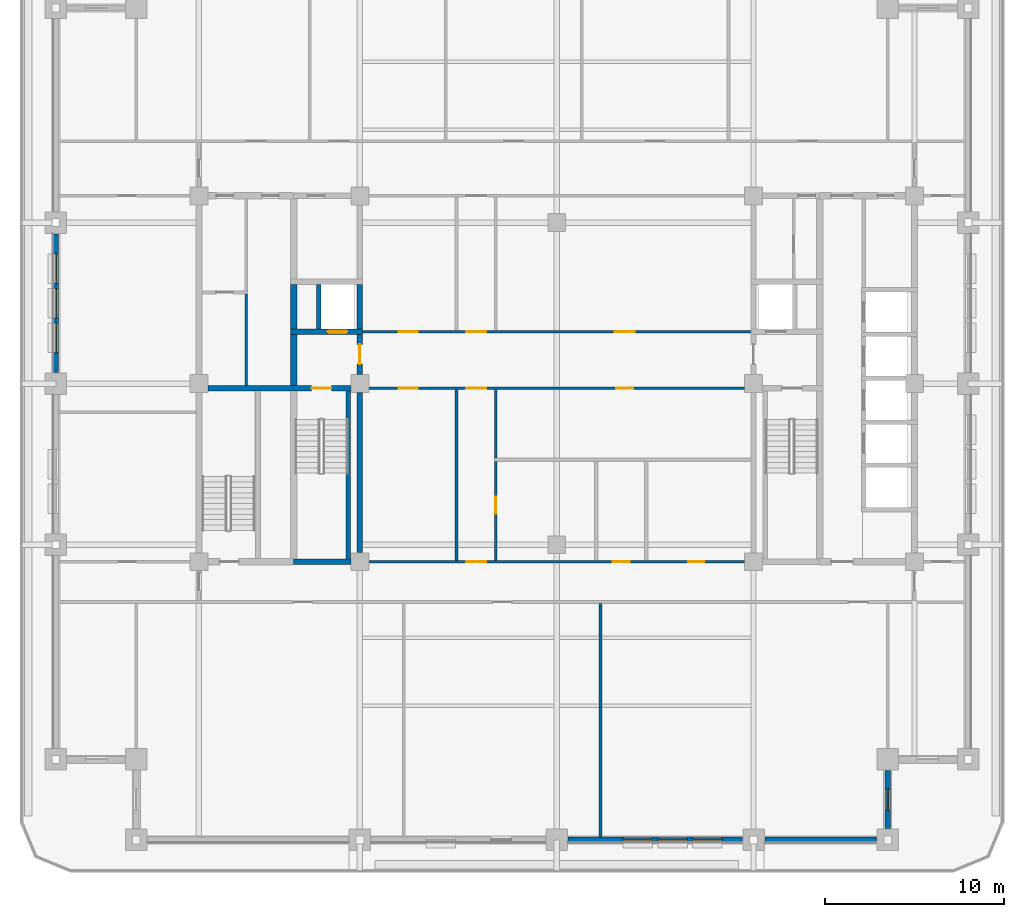
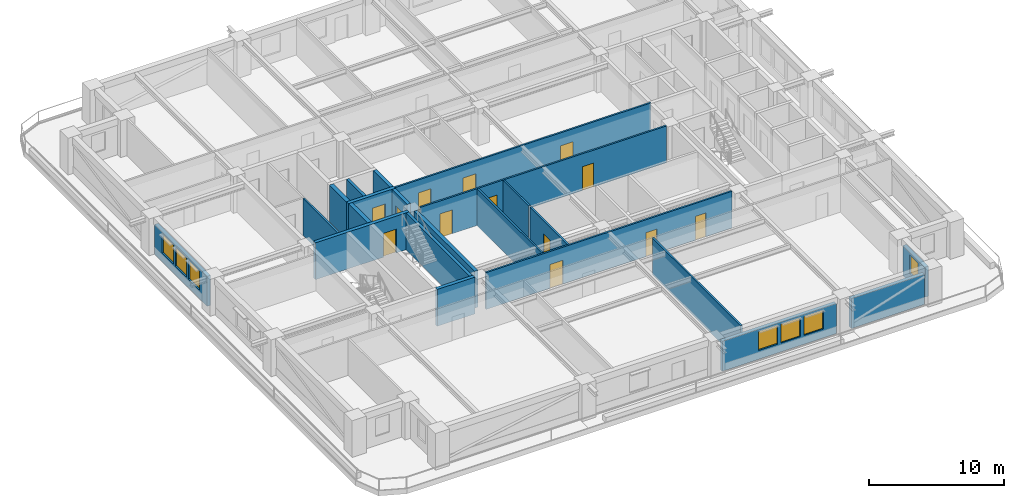
# One storey, part 3 of 15: 22 walls, 13 doors, 7 windows, 20 openings.
"""IFC4 building model written with IfcOpenShell, lengths in metres."""

from ifc_helpers import new_model, si_unit, direction, frame, frame_2d, origin, place, context, subcontext, project, spatial, rectangle, extrude, material, layer, layer_set, type_object, element, fill, save


model = new_model("IFC4")

# Units and contexts
model_context = context("Model", 3, precision=1e-05, world=origin(), true_north=direction((0.0, 1.0)))
body_context = subcontext(model_context, "Body", "Model", "MODEL_VIEW")
ifc_project = project(units=[si_unit("LENGTHUNIT", "METRE"), si_unit("AREAUNIT", "SQUARE_METRE"), si_unit("VOLUMEUNIT", "CUBIC_METRE"), si_unit("PLANEANGLEUNIT", "RADIAN"), si_unit("MASSUNIT", "GRAM", prefix="KILO")], contexts=[model_context])

# Site, building, storey
site_placement = place(None, origin())
site = spatial("IfcSite", under=ifc_project, at=site_placement, CompositionType="ELEMENT")
building_placement = place(site_placement, origin())
building = spatial("IfcBuilding", under=site, at=building_placement, Name="Zulmaris Gate Convention Tower", CompositionType="ELEMENT")
storey_placement = place(building_placement, frame((0.0, 0.0, 128.48974609375)))
storey = spatial("IfcBuildingStorey", under=building, at=storey_placement, Name="L32", CompositionType="ELEMENT", Elevation=128.48974609375)

# Walls
ifc_material_1 = material(Name="Concrete C50/60", Category="concrete")
ifc_layer_1 = layer(ifc_material_1, 0.25, Name="Concrete C50/60")
ifc_layer_set_1 = layer_set([ifc_layer_1], Name="Concrete C50/60")
wall_type_1 = type_object("IfcWallType", Name="CORE-250", PredefinedType="SOLIDWALL", material=ifc_layer_set_1)
wall_1_placement = place(storey_placement, frame((-13.300048828125, 3.052001953125, 0.0), z_axis=(0.0, 0.0, 1.0), x_axis=(0.0, 1.0, 0.0)))
element("IfcWall", 1, at=wall_1_placement, inside=storey, type_object=wall_type_1, Name="WL-L32-041", PredefinedType="SOLIDWALL", context=body_context, shape_type="SweptSolid", body=[
    extrude(rectangle(XDim=2.49609375, YDim=0.25, at=frame_2d((1.248046875, 0.0))), origin(), (0.0, 0.0, 1.0), 3.320068359375),
])
wall_2_placement = place(storey_placement, frame((-11.64990234375, -9.798095703125, 0.0), z_axis=(0.0, 0.0, 1.0), x_axis=(0.0, 1.0, 0.0)))
element("IfcWall", 2, at=wall_2_placement, inside=storey, type_object=wall_type_1, Name="WL-L32-042", PredefinedType="SOLIDWALL", context=body_context, shape_type="SweptSolid", body=[
    extrude(rectangle(XDim=9.39599609375, YDim=0.25, at=frame_2d((4.697998046875, 0.0))), origin(), (0.0, 0.0, 1.0), 3.320068359375),
])
ifc_layer_2 = layer(ifc_material_1, 0.300048828125, Name="Concrete C50/60")
ifc_layer_set_2 = layer_set([ifc_layer_2], Name="Concrete C50/60")
wall_type_2 = type_object("IfcWallType", Name="CORE-300", PredefinedType="SHEAR", material=ifc_layer_set_2)
wall_3_placement = place(storey_placement, frame((-14.699951171875, -9.949951171875, 0.0), z_axis=(0.0, 0.0, 1.0), x_axis=(1.0, 0.0, 0.0)))
element("IfcWall", 3, at=wall_3_placement, inside=storey, type_object=wall_type_2, Name="WL-L32-002", PredefinedType="SHEAR", context=body_context, shape_type="SweptSolid", body=[
    extrude(rectangle(XDim=3.196044921875, YDim=0.300048828125, at=frame_2d((1.59814453125, 0.0))), origin(), (0.0, 0.0, 1.0), 3.320068359375),
])

# Wall, opening, door
wall_4_placement = place(storey_placement, frame((-19.49609375, -0.25, 0.0), z_axis=(0.0, 0.0, 1.0), x_axis=(1.0, 0.0, 0.0)))
wall_4 = element("IfcWall", 4, at=wall_4_placement, inside=storey, type_object=wall_type_2, Name="WL-L32-008", PredefinedType="SHEAR", context=body_context, shape_type="SweptSolid", body=[
    extrude(rectangle(XDim=7.9921875, YDim=0.300048828125, at=frame_2d((3.99609375, 0.0))), origin(), (0.0, 0.0, 1.0), 3.320068359375),
])
opening_1_placement = place(wall_4_placement, frame((5.7958984375, 0.0, 0.0)))
opening_1 = element("IfcOpeningElement", 5, at=opening_1_placement, cuts=wall_4, Name="Opening D-08", PredefinedType="OPENING", context=body_context, shape_type="SweptSolid", body=[
    extrude(rectangle(XDim=1.10009765625, YDim=2.14990234375, at=frame_2d((0.550048828125, 1.074951171875))), frame((0.0, 0.16015625, 0.0), z_axis=(0.0, -1.0, 0.0), x_axis=(1.0, 0.0, 0.0)), (0.0, 0.0, 1.0), 0.320068359375),
])
ifc_material_2 = material(Name="Fire-Rated Steel", Category="steel")
door_type_1 = type_object("IfcDoorType", Name="DR-1100-FD", OperationType="NOTDEFINED", PredefinedType="DOOR", material=ifc_material_2)
door_1_placement = place(opening_1_placement, origin())
door_1 = element("IfcDoor", 6, at=door_1_placement, inside=storey, type_object=door_type_1, Name="L32 Exit Stair ST-1 Door 01", OperationType="SINGLE_SWING_LEFT", OverallHeight=2.14990234375, OverallWidth=1.10009765625, PredefinedType="DOOR", context=body_context, shape_type="SweptSolid", body=[
    extrude(rectangle(XDim=1.10009765625, YDim=2.14990234375, at=frame_2d((0.550048828125, 1.074951171875))), frame((0.0, 0.02490234375, 0.0), z_axis=(0.0, -1.0, 0.0), x_axis=(1.0, 0.0, 0.0)), (0.0, 0.0, 1.0), 0.050048828125),
])
fill(opening_1, door_1)

wall_5_placement = place(storey_placement, frame((-14.875, 2.89990234375, 0.0), z_axis=(0.0, 0.0, 1.0), x_axis=(1.0, 0.0, 0.0)))
wall_5 = element("IfcWall", 7, at=wall_5_placement, inside=storey, type_object=wall_type_2, Name="WL-L32-012", PredefinedType="SHEAR", context=body_context, shape_type="SweptSolid", body=[
    extrude(rectangle(XDim=4.02490234375, YDim=0.300048828125, at=frame_2d((2.012451171875, 0.0))), origin(), (0.0, 0.0, 1.0), 3.320068359375),
])
opening_2_placement = place(wall_5_placement, frame((2.074951171875, 0.0, 0.0)))
opening_2 = element("IfcOpeningElement", 8, at=opening_2_placement, cuts=wall_5, Name="Opening D-06", PredefinedType="OPENING", context=body_context, shape_type="SweptSolid", body=[
    extrude(rectangle(XDim=1.10009765625, YDim=2.199951171875, at=frame_2d((0.550048828125, 1.10009765625))), frame((0.0, 0.16015625, 0.0), z_axis=(0.0, -1.0, 0.0), x_axis=(1.0, 0.0, 0.0)), (0.0, 0.0, 1.0), 0.320068359375),
])
ifc_material_3 = material(Name="Brushed Stainless Steel", Category="steel")
door_type_2 = type_object("IfcDoorType", Name="LD-1100", OperationType="NOTDEFINED", PredefinedType="DOOR", material=ifc_material_3)
door_2_placement = place(opening_2_placement, origin())
door_2 = element("IfcDoor", 9, at=door_2_placement, inside=storey, type_object=door_type_2, Name="L32 Lift Landing Door LF-01 03", OperationType="SLIDING_TO_LEFT", OverallHeight=2.199951171875, OverallWidth=1.10009765625, PredefinedType="DOOR", context=body_context, shape_type="SweptSolid", body=[
    extrude(rectangle(XDim=1.10009765625, YDim=2.199951171875, at=frame_2d((0.550048828125, 1.10009765625))), frame((0.0, 0.02490234375, 0.0), z_axis=(0.0, -1.0, 0.0), x_axis=(1.0, 0.0, 0.0)), (0.0, 0.0, 1.0), 0.050048828125),
])
fill(opening_2, door_2)

# Wall
wall_6_placement = place(storey_placement, frame((-11.0, -9.446044921875, 0.0), z_axis=(0.0, 0.0, 1.0), x_axis=(0.0, 1.0, 0.0)))
element("IfcWall", 10, at=wall_6_placement, inside=storey, type_object=wall_type_2, Name="WL-L32-043", PredefinedType="SHEAR", context=body_context, shape_type="SweptSolid", body=[
    extrude(rectangle(XDim=8.942138671875, YDim=0.300048828125, at=frame_2d((4.47119140625, 0.0))), origin(), (0.0, 0.0, 1.0), 3.320068359375),
])

# Wall, opening, door
wall_7_placement = place(storey_placement, frame((-11.0, 0.50390625, 0.0), z_axis=(0.0, 0.0, 1.0), x_axis=(0.0, 1.0, 0.0)))
wall_7 = element("IfcWall", 11, at=wall_7_placement, inside=storey, type_object=wall_type_2, Name="WL-L32-044", PredefinedType="SHEAR", context=body_context, shape_type="SweptSolid", body=[
    extrude(rectangle(XDim=2.244140625, YDim=0.300048828125, at=frame_2d((1.1220703125, 0.0))), origin(), (0.0, 0.0, 1.0), 3.320068359375),
])
opening_3_placement = place(wall_7_placement, frame((0.595947265625, 0.0, 0.0)))
opening_3 = element("IfcOpeningElement", 12, at=opening_3_placement, cuts=wall_7, Name="Opening D-08", PredefinedType="OPENING", context=body_context, shape_type="SweptSolid", body=[
    extrude(rectangle(XDim=1.10009765625, YDim=2.14990234375, at=frame_2d((0.550048828125, 1.074951171875))), frame((0.0, 0.16015625, 0.0), z_axis=(0.0, -1.0, 0.0), x_axis=(1.0, 0.0, 0.0)), (0.0, 0.0, 1.0), 0.320068359375),
])
door_3_placement = place(opening_3_placement, origin())
door_3 = element("IfcDoor", 13, at=door_3_placement, inside=storey, type_object=door_type_1, Name="L32 West Firefighting Lobby Door 02", OperationType="SINGLE_SWING_RIGHT", OverallHeight=2.14990234375, OverallWidth=1.10009765625, PredefinedType="DOOR", context=body_context, shape_type="SweptSolid", body=[
    extrude(rectangle(XDim=1.10009765625, YDim=2.14990234375, at=frame_2d((0.550048828125, 1.074951171875))), frame((0.0, 0.02490234375, 0.0), z_axis=(0.0, -1.0, 0.0), x_axis=(1.0, 0.0, 0.0)), (0.0, 0.0, 1.0), 0.050048828125),
])
fill(opening_3, door_3)

# Walls
wall_8_placement = place(storey_placement, frame((-11.0, 3.052001953125, 0.0), z_axis=(0.0, 0.0, 1.0), x_axis=(0.0, 1.0, 0.0)))
element("IfcWall", 14, at=wall_8_placement, inside=storey, type_object=wall_type_2, Name="WL-L32-045", PredefinedType="SHEAR", context=body_context, shape_type="SweptSolid", body=[
    extrude(rectangle(XDim=2.49609375, YDim=0.300048828125, at=frame_2d((1.248046875, 0.0))), origin(), (0.0, 0.0, 1.0), 3.320068359375),
])
ifc_material_4 = material(Name="Concrete C55/67", Category="concrete")
ifc_layer_3 = layer(ifc_material_4, 0.35009765625, Name="Concrete C55/67")
ifc_layer_set_3 = layer_set([ifc_layer_3], Name="Concrete C55/67")
wall_type_3 = type_object("IfcWallType", Name="CORE-350", PredefinedType="SHEAR", material=ifc_layer_set_3)
wall_9_placement = place(storey_placement, frame((-14.699951171875, -0.097900390625, 0.0), z_axis=(0.0, 0.0, 1.0), x_axis=(0.0, 1.0, 0.0)))
element("IfcWall", 15, at=wall_9_placement, inside=storey, type_object=wall_type_3, Name="WL-L32-038", PredefinedType="SHEAR", context=body_context, shape_type="SweptSolid", body=[
    extrude(rectangle(XDim=2.845947265625, YDim=0.35009765625, at=frame_2d((1.4228515625, 0.0))), origin(), (0.0, 0.0, 1.0), 3.320068359375),
])
wall_10_placement = place(storey_placement, frame((-14.699951171875, 3.052001953125, 0.0), z_axis=(0.0, 0.0, 1.0), x_axis=(0.0, 1.0, 0.0)))
element("IfcWall", 16, at=wall_10_placement, inside=storey, type_object=wall_type_3, Name="WL-L32-039", PredefinedType="SHEAR", context=body_context, shape_type="SweptSolid", body=[
    extrude(rectangle(XDim=2.49609375, YDim=0.35009765625, at=frame_2d((1.248046875, 0.0))), origin(), (0.0, 0.0, 1.0), 3.320068359375),
])

# Wall, openings, doors
ifc_material_5 = material(Name="Gypsum Metal Stud Partition")
ifc_layer_4 = layer(ifc_material_5, 0.14990234375, Name="Gypsum Metal Stud Partition")
ifc_layer_set_4 = layer_set([ifc_layer_4], Name="Gypsum Metal Stud Partition")
wall_type_4 = type_object("IfcWallType", Name="PART-150", PredefinedType="PARTITIONING", material=ifc_layer_set_4)
wall_11_placement = place(storey_placement, frame((-10.493896484375, -9.949951171875, 0.0), z_axis=(0.0, 0.0, 1.0), x_axis=(1.0, 0.0, 0.0)))
wall_11 = element("IfcWall", 17, at=wall_11_placement, inside=storey, type_object=wall_type_4, Name="WL-L32-023", PredefinedType="PARTITIONING", context=body_context, shape_type="SweptSolid", body=[
    extrude(rectangle(XDim=20.98779296875, YDim=0.14990234375, at=frame_2d((10.493896484375, 0.0))), origin(), (0.0, 0.0, 1.0), 3.320068359375),
])
opening_4_placement = place(wall_11_placement, frame((5.444091796875, 0.0, 0.0)))
opening_4 = element("IfcOpeningElement", 18, at=opening_4_placement, cuts=wall_11, Name="Opening D-08", PredefinedType="OPENING", context=body_context, shape_type="SweptSolid", body=[
    extrude(rectangle(XDim=1.10009765625, YDim=2.14990234375, at=frame_2d((0.550048828125, 1.074951171875))), frame((0.0, 0.0849609375, 0.0), z_axis=(0.0, -1.0, 0.0), x_axis=(1.0, 0.0, 0.0)), (0.0, 0.0, 1.0), 0.169921875),
])
opening_5_placement = place(wall_11_placement, frame((13.618896484375, 0.0, 0.0)))
opening_5 = element("IfcOpeningElement", 19, at=opening_5_placement, cuts=wall_11, Name="Opening D-11", PredefinedType="OPENING", context=body_context, shape_type="SweptSolid", body=[
    extrude(rectangle(XDim=0.949951171875, YDim=2.14990234375, at=frame_2d((0.47509765625, 1.074951171875))), frame((0.0, 0.0849609375, 0.0), z_axis=(0.0, -1.0, 0.0), x_axis=(1.0, 0.0, 0.0)), (0.0, 0.0, 1.0), 0.169921875),
])
opening_6_placement = place(wall_11_placement, frame((17.843994140625, 0.0, 0.0)))
opening_6 = element("IfcOpeningElement", 20, at=opening_6_placement, cuts=wall_11, Name="Opening D-12", PredefinedType="OPENING", context=body_context, shape_type="SweptSolid", body=[
    extrude(rectangle(XDim=0.89990234375, YDim=2.14990234375, at=frame_2d((0.449951171875, 1.074951171875))), frame((0.0, 0.0849609375, 0.0), z_axis=(0.0, -1.0, 0.0), x_axis=(1.0, 0.0, 0.0)), (0.0, 0.0, 1.0), 0.169921875),
])
door_4_placement = place(opening_4_placement, origin())
door_4 = element("IfcDoor", 21, at=door_4_placement, inside=storey, type_object=door_type_1, Name="L32 South Gallery Link Door 22", OperationType="SINGLE_SWING_RIGHT", OverallHeight=2.14990234375, OverallWidth=1.10009765625, PredefinedType="DOOR", context=body_context, shape_type="SweptSolid", body=[
    extrude(rectangle(XDim=1.10009765625, YDim=2.14990234375, at=frame_2d((0.550048828125, 1.074951171875))), frame((0.0, 0.02490234375, 0.0), z_axis=(0.0, -1.0, 0.0), x_axis=(1.0, 0.0, 0.0)), (0.0, 0.0, 1.0), 0.050048828125),
])
fill(opening_4, door_4)
ifc_material_6 = material(Name="Fire-Rated Timber", Category="wood")
door_type_3 = type_object("IfcDoorType", Name="DR-900-FD", OperationType="NOTDEFINED", PredefinedType="DOOR", material=ifc_material_6)
door_5_placement = place(opening_6_placement, origin())
door_5 = element("IfcDoor", 22, at=door_5_placement, inside=storey, type_object=door_type_3, Name="L32 Reprographics Office Door 39", OperationType="SINGLE_SWING_LEFT", OverallHeight=2.14990234375, OverallWidth=0.89990234375, PredefinedType="DOOR", context=body_context, shape_type="SweptSolid", body=[
    extrude(rectangle(XDim=0.89990234375, YDim=2.14990234375, at=frame_2d((0.449951171875, 1.074951171875))), frame((0.0, 0.02490234375, 0.0), z_axis=(0.0, -1.0, 0.0), x_axis=(1.0, 0.0, 0.0)), (0.0, 0.0, 1.0), 0.050048828125),
])
fill(opening_6, door_5)
door_type_4 = type_object("IfcDoorType", Name="DR-950-FD", OperationType="NOTDEFINED", PredefinedType="DOOR", material=ifc_material_6)
door_6_placement = place(opening_5_placement, origin())
door_6 = element("IfcDoor", 23, at=door_6_placement, inside=storey, type_object=door_type_4, Name="L32 Accessible WC Door 38", OperationType="SINGLE_SWING_RIGHT", OverallHeight=2.14990234375, OverallWidth=0.949951171875, PredefinedType="DOOR", context=body_context, shape_type="SweptSolid", body=[
    extrude(rectangle(XDim=0.949951171875, YDim=2.14990234375, at=frame_2d((0.47509765625, 1.074951171875))), frame((0.0, 0.02490234375, 0.0), z_axis=(0.0, -1.0, 0.0), x_axis=(1.0, 0.0, 0.0)), (0.0, 0.0, 1.0), 0.050048828125),
])
fill(opening_5, door_6)

wall_12_placement = place(storey_placement, frame((-10.493896484375, -0.25, 0.0), z_axis=(0.0, 0.0, 1.0), x_axis=(1.0, 0.0, 0.0)))
wall_12 = element("IfcWall", 24, at=wall_12_placement, inside=storey, type_object=wall_type_4, Name="WL-L32-027", PredefinedType="PARTITIONING", context=body_context, shape_type="SweptSolid", body=[
    extrude(rectangle(XDim=20.98779296875, YDim=0.14990234375, at=frame_2d((10.493896484375, 0.0))), origin(), (0.0, 0.0, 1.0), 3.320068359375),
])
opening_7_placement = place(wall_12_placement, frame((5.444091796875, 0.0, 0.0)))
opening_7 = element("IfcOpeningElement", 25, at=opening_7_placement, cuts=wall_12, Name="Opening D-08", PredefinedType="OPENING", context=body_context, shape_type="SweptSolid", body=[
    extrude(rectangle(XDim=1.10009765625, YDim=2.14990234375, at=frame_2d((0.550048828125, 1.074951171875))), frame((0.0, 0.0849609375, 0.0), z_axis=(0.0, -1.0, 0.0), x_axis=(1.0, 0.0, 0.0)), (0.0, 0.0, 1.0), 0.169921875),
])
opening_8_placement = place(wall_12_placement, frame((1.6689453125, 0.0, 0.0)))
opening_8 = element("IfcOpeningElement", 26, at=opening_8_placement, cuts=wall_12, Name="Opening D-09", PredefinedType="OPENING", context=body_context, shape_type="SweptSolid", body=[
    extrude(rectangle(XDim=1.050048828125, YDim=2.14990234375, at=frame_2d((0.52490234375, 1.074951171875))), frame((0.0, 0.0849609375, 0.0), z_axis=(0.0, -1.0, 0.0), x_axis=(1.0, 0.0, 0.0)), (0.0, 0.0, 1.0), 0.169921875),
])
opening_9_placement = place(wall_12_placement, frame((13.819091796875, 0.0, 0.0)))
opening_9 = element("IfcOpeningElement", 27, at=opening_9_placement, cuts=wall_12, Name="Opening D-11", PredefinedType="OPENING", context=body_context, shape_type="SweptSolid", body=[
    extrude(rectangle(XDim=0.949951171875, YDim=2.14990234375, at=frame_2d((0.47509765625, 1.074951171875))), frame((0.0, 0.0849609375, 0.0), z_axis=(0.0, -1.0, 0.0), x_axis=(1.0, 0.0, 0.0)), (0.0, 0.0, 1.0), 0.169921875),
])
door_type_5 = type_object("IfcDoorType", Name="DR-1050-FD", OperationType="NOTDEFINED", PredefinedType="DOOR", material=ifc_material_2)
door_7_placement = place(opening_8_placement, origin())
door_7 = element("IfcDoor", 28, at=door_7_placement, inside=storey, type_object=door_type_5, Name="L32 Sky Library Door 35", OperationType="SINGLE_SWING_LEFT", OverallHeight=2.14990234375, OverallWidth=1.050048828125, PredefinedType="DOOR", context=body_context, shape_type="SweptSolid", body=[
    extrude(rectangle(XDim=1.050048828125, YDim=2.14990234375, at=frame_2d((0.52490234375, 1.074951171875))), frame((0.0, 0.02490234375, 0.0), z_axis=(0.0, -1.0, 0.0), x_axis=(1.0, 0.0, 0.0)), (0.0, 0.0, 1.0), 0.050048828125),
])
fill(opening_8, door_7)
door_8_placement = place(opening_7_placement, origin())
door_8 = element("IfcDoor", 29, at=door_8_placement, inside=storey, type_object=door_type_1, Name="L32 Cross Spine South Door 24", OperationType="SINGLE_SWING_RIGHT", OverallHeight=2.14990234375, OverallWidth=1.10009765625, PredefinedType="DOOR", context=body_context, shape_type="SweptSolid", body=[
    extrude(rectangle(XDim=1.10009765625, YDim=2.14990234375, at=frame_2d((0.550048828125, 1.074951171875))), frame((0.0, 0.02490234375, 0.0), z_axis=(0.0, -1.0, 0.0), x_axis=(1.0, 0.0, 0.0)), (0.0, 0.0, 1.0), 0.050048828125),
])
fill(opening_7, door_8)
door_9_placement = place(opening_9_placement, origin())
door_9 = element("IfcDoor", 30, at=door_9_placement, inside=storey, type_object=door_type_4, Name="L32 Public WC Door 36", OperationType="SINGLE_SWING_RIGHT", OverallHeight=2.14990234375, OverallWidth=0.949951171875, PredefinedType="DOOR", context=body_context, shape_type="SweptSolid", body=[
    extrude(rectangle(XDim=0.949951171875, YDim=2.14990234375, at=frame_2d((0.47509765625, 1.074951171875))), frame((0.0, 0.02490234375, 0.0), z_axis=(0.0, -1.0, 0.0), x_axis=(1.0, 0.0, 0.0)), (0.0, 0.0, 1.0), 0.050048828125),
])
fill(opening_9, door_9)

wall_13_placement = place(storey_placement, frame((-11.0, 2.89990234375, 0.0), z_axis=(0.0, 0.0, 1.0), x_axis=(1.0, 0.0, 0.0)))
wall_13 = element("IfcWall", 31, at=wall_13_placement, inside=storey, type_object=wall_type_4, Name="WL-L32-028", PredefinedType="PARTITIONING", context=body_context, shape_type="SweptSolid", body=[
    extrude(rectangle(XDim=22.0, YDim=0.14990234375, at=frame_2d((11.0, 0.0))), origin(), (0.0, 0.0, 1.0), 3.320068359375),
])
opening_10_placement = place(wall_13_placement, frame((5.949951171875, 0.0, 0.0)))
opening_10 = element("IfcOpeningElement", 32, at=opening_10_placement, cuts=wall_13, Name="Opening D-08", PredefinedType="OPENING", context=body_context, shape_type="SweptSolid", body=[
    extrude(rectangle(XDim=1.10009765625, YDim=2.14990234375, at=frame_2d((0.550048828125, 1.074951171875))), frame((0.0, 0.0849609375, 0.0), z_axis=(0.0, -1.0, 0.0), x_axis=(1.0, 0.0, 0.0)), (0.0, 0.0, 1.0), 0.169921875),
])
opening_11_placement = place(wall_13_placement, frame((2.175048828125, 0.0, 0.0)))
opening_11 = element("IfcOpeningElement", 33, at=opening_11_placement, cuts=wall_13, Name="Opening D-09", PredefinedType="OPENING", context=body_context, shape_type="SweptSolid", body=[
    extrude(rectangle(XDim=1.050048828125, YDim=2.14990234375, at=frame_2d((0.52490234375, 1.074951171875))), frame((0.0, 0.0849609375, 0.0), z_axis=(0.0, -1.0, 0.0), x_axis=(1.0, 0.0, 0.0)), (0.0, 0.0, 1.0), 0.169921875),
])
opening_12_placement = place(wall_13_placement, frame((14.25, 0.0, 0.0)))
opening_12 = element("IfcOpeningElement", 34, at=opening_12_placement, cuts=wall_13, Name="Opening D-08", PredefinedType="OPENING", context=body_context, shape_type="SweptSolid", body=[
    extrude(rectangle(XDim=1.10009765625, YDim=2.14990234375, at=frame_2d((0.550048828125, 1.074951171875))), frame((0.0, 0.0849609375, 0.0), z_axis=(0.0, -1.0, 0.0), x_axis=(1.0, 0.0, 0.0)), (0.0, 0.0, 1.0), 0.169921875),
])
door_10_placement = place(opening_11_placement, origin())
door_10 = element("IfcDoor", 35, at=door_10_placement, inside=storey, type_object=door_type_5, Name="L32 Reception Door 33", OperationType="SINGLE_SWING_LEFT", OverallHeight=2.14990234375, OverallWidth=1.050048828125, PredefinedType="DOOR", context=body_context, shape_type="SweptSolid", body=[
    extrude(rectangle(XDim=1.050048828125, YDim=2.14990234375, at=frame_2d((0.52490234375, 1.074951171875))), frame((0.0, 0.02490234375, 0.0), z_axis=(0.0, -1.0, 0.0), x_axis=(1.0, 0.0, 0.0)), (0.0, 0.0, 1.0), 0.050048828125),
])
fill(opening_11, door_10)
door_11_placement = place(opening_10_placement, origin())
door_11 = element("IfcDoor", 36, at=door_11_placement, inside=storey, type_object=door_type_1, Name="L32 Cross Spine North Door 23", OperationType="SINGLE_SWING_LEFT", OverallHeight=2.14990234375, OverallWidth=1.10009765625, PredefinedType="DOOR", context=body_context, shape_type="SweptSolid", body=[
    extrude(rectangle(XDim=1.10009765625, YDim=2.14990234375, at=frame_2d((0.550048828125, 1.074951171875))), frame((0.0, 0.02490234375, 0.0), z_axis=(0.0, -1.0, 0.0), x_axis=(1.0, 0.0, 0.0)), (0.0, 0.0, 1.0), 0.050048828125),
])
fill(opening_10, door_11)
door_12_placement = place(opening_12_placement, origin())
door_12 = element("IfcDoor", 37, at=door_12_placement, inside=storey, type_object=door_type_1, Name="L32 Townhall Forum Door 34", OperationType="SINGLE_SWING_RIGHT", OverallHeight=2.14990234375, OverallWidth=1.10009765625, PredefinedType="DOOR", context=body_context, shape_type="SweptSolid", body=[
    extrude(rectangle(XDim=1.10009765625, YDim=2.14990234375, at=frame_2d((0.550048828125, 1.074951171875))), frame((0.0, 0.02490234375, 0.0), z_axis=(0.0, -1.0, 0.0), x_axis=(1.0, 0.0, 0.0)), (0.0, 0.0, 1.0), 0.050048828125),
])
fill(opening_12, door_12)

# Walls
wall_14_placement = place(storey_placement, frame((-17.35009765625, -0.096923828125, 0.0), z_axis=(0.0, 0.0, 1.0), x_axis=(0.0, 1.0, 0.0)))
element("IfcWall", 38, at=wall_14_placement, inside=storey, type_object=wall_type_4, Name="WL-L32-073", PredefinedType="PARTITIONING", context=body_context, shape_type="SweptSolid", body=[
    extrude(rectangle(XDim=5.118896484375, YDim=0.14990234375, at=frame_2d((2.5595703125, 0.0))), origin(), (0.0, 0.0, 1.0), 3.320068359375),
])
wall_15_placement = place(storey_placement, frame((-5.60009765625, -9.8720703125, 0.0), z_axis=(0.0, 0.0, 1.0), x_axis=(0.0, 1.0, 0.0)))
element("IfcWall", 39, at=wall_15_placement, inside=storey, type_object=wall_type_4, Name="WL-L32-078", PredefinedType="PARTITIONING", context=body_context, shape_type="SweptSolid", body=[
    extrude(rectangle(XDim=9.544189453125, YDim=0.14990234375, at=frame_2d((4.77197265625, 0.0))), origin(), (0.0, 0.0, 1.0), 3.320068359375),
])

# Wall, opening, door
wall_16_placement = place(storey_placement, frame((-3.39990234375, -9.8720703125, 0.0), z_axis=(0.0, 0.0, 1.0), x_axis=(0.0, 1.0, 0.0)))
wall_16 = element("IfcWall", 40, at=wall_16_placement, inside=storey, type_object=wall_type_4, Name="WL-L32-080", PredefinedType="PARTITIONING", context=body_context, shape_type="SweptSolid", body=[
    extrude(rectangle(XDim=5.51904296875, YDim=0.14990234375, at=frame_2d((2.759521484375, 0.0))), origin(), (0.0, 0.0, 1.0), 3.320068359375),
])
opening_13_placement = place(wall_16_placement, frame((2.596923828125, 0.0, 0.0)))
opening_13 = element("IfcOpeningElement", 41, at=opening_13_placement, cuts=wall_16, Name="Opening D-11", PredefinedType="OPENING", context=body_context, shape_type="SweptSolid", body=[
    extrude(rectangle(XDim=0.949951171875, YDim=2.14990234375, at=frame_2d((0.47509765625, 1.074951171875))), frame((0.0, 0.0849609375, 0.0), z_axis=(0.0, -1.0, 0.0), x_axis=(1.0, 0.0, 0.0)), (0.0, 0.0, 1.0), 0.169921875),
])
door_13_placement = place(opening_13_placement, origin())
door_13 = element("IfcDoor", 42, at=door_13_placement, inside=storey, type_object=door_type_4, Name="L32 Hygiene Supply Door 37", OperationType="SINGLE_SWING_LEFT", OverallHeight=2.14990234375, OverallWidth=0.949951171875, PredefinedType="DOOR", context=body_context, shape_type="SweptSolid", body=[
    extrude(rectangle(XDim=0.949951171875, YDim=2.14990234375, at=frame_2d((0.47509765625, 1.074951171875))), frame((0.0, 0.02490234375, 0.0), z_axis=(0.0, -1.0, 0.0), x_axis=(1.0, 0.0, 0.0)), (0.0, 0.0, 1.0), 0.050048828125),
])
fill(opening_13, door_13)

# Walls
wall_17_placement = place(storey_placement, frame((-3.39990234375, -4.14697265625, 0.0), z_axis=(0.0, 0.0, 1.0), x_axis=(0.0, 1.0, 0.0)))
element("IfcWall", 43, at=wall_17_placement, inside=storey, type_object=wall_type_4, Name="WL-L32-081", PredefinedType="PARTITIONING", context=body_context, shape_type="SweptSolid", body=[
    extrude(rectangle(XDim=3.819091796875, YDim=0.14990234375, at=frame_2d((1.90966796875, 0.0))), origin(), (0.0, 0.0, 1.0), 3.320068359375),
])
wall_18_placement = place(storey_placement, frame((2.449951171875, -25.3349609375, 0.0), z_axis=(0.0, 0.0, 1.0), x_axis=(0.0, 1.0, 0.0)))
element("IfcWall", 44, at=wall_18_placement, inside=storey, type_object=wall_type_4, Name="WL-L32-085", PredefinedType="PARTITIONING", context=body_context, shape_type="SweptSolid", body=[
    extrude(rectangle(XDim=13.056884765625, YDim=0.14990234375, at=frame_2d((6.5283203125, 0.0))), origin(), (0.0, 0.0, 1.0), 3.320068359375),
])

# Wall, opening, window
ifc_material_7 = material(Name="Precast concrete C40/50", Category="concrete")
ifc_layer_5 = layer(ifc_material_7, 0.300048828125, Name="Precast concrete C40/50")
ifc_layer_set_5 = layer_set([ifc_layer_5], Name="Precast concrete C40/50")
wall_type_5 = type_object("IfcWallType", Name="PRECAST-PIER-300", PredefinedType="STANDARD", material=ifc_layer_set_5)
wall_19_placement = place(storey_placement, frame((18.5, -24.8701171875, 0.0), z_axis=(0.0, 0.0, 1.0), x_axis=(0.0, 1.0, 0.0)))
wall_19 = element("IfcWall", 45, at=wall_19_placement, inside=storey, type_object=wall_type_5, Name="EW-L32-NOTCH-SE1_0", PredefinedType="STANDARD", context=body_context, shape_type="SweptSolid", body=[
    extrude(rectangle(XDim=3.240234375, YDim=0.300048828125, at=frame_2d((1.6201171875, 0.0))), origin(), (0.0, 0.0, 1.0), 2.712158203125),
])
opening_14_placement = place(wall_19_placement, frame((1.02001953125, 0.0, 0.820068359375)))
opening_14 = element("IfcOpeningElement", 46, at=opening_14_placement, cuts=wall_19, Name="Opening W-04", PredefinedType="OPENING", context=body_context, shape_type="SweptSolid", body=[
    extrude(rectangle(XDim=1.199951171875, YDim=1.64990234375, at=frame_2d((0.60009765625, 0.824951171875))), frame((0.0, 0.16015625, 0.0), z_axis=(0.0, -1.0, 0.0), x_axis=(1.0, 0.0, 0.0)), (0.0, 0.0, 1.0), 0.320068359375),
])
ifc_material_8 = material(Name="Low-E Laminated Double Glazing in Aluminium Frame", Category="aluminium")
window_type_1 = type_object("IfcWindowType", Name="WIN-1200x2100", PartitioningType="SINGLE_PANEL", PredefinedType="WINDOW", material=ifc_material_8)
window_1_placement = place(opening_14_placement, origin())
window_1 = element("IfcWindow", 47, at=window_1_placement, inside=storey, type_object=window_type_1, Name="WN-EW-L32-NOTCH-SE1_0", OverallHeight=1.64990234375, OverallWidth=1.199951171875, PartitioningType="SINGLE_PANEL", PredefinedType="WINDOW", context=body_context, shape_type="SweptSolid", body=[
    extrude(rectangle(XDim=1.199951171875, YDim=1.64990234375, at=frame_2d((0.60009765625, 0.824951171875))), frame((0.0, 0.030029296875, 0.0), z_axis=(0.0, -1.0, 0.0), x_axis=(1.0, 0.0, 0.0)), (0.0, 0.0, 1.0), 0.06005859375),
])
fill(opening_14, window_1)

# Wall, openings, windows
wall_20_placement = place(storey_placement, frame((0.6298828125, -25.5, 0.0), z_axis=(0.0, 0.0, 1.0), x_axis=(1.0, 0.0, 0.0)))
wall_20 = element("IfcWall", 48, at=wall_20_placement, inside=storey, type_object=wall_type_5, Name="EW-L32-S-2_0", PredefinedType="STANDARD", context=body_context, shape_type="SweptSolid", body=[
    extrude(rectangle(XDim=9.740234375, YDim=0.300048828125, at=frame_2d((4.8701171875, 0.0))), origin(), (0.0, 0.0, 1.0), 2.712158203125),
])
opening_15_placement = place(wall_20_placement, frame((3.071044921875, 0.0, 0.800048828125)))
opening_15 = element("IfcOpeningElement", 49, at=opening_15_placement, cuts=wall_20, Name="Opening W-08", PredefinedType="OPENING", context=body_context, shape_type="SweptSolid", body=[
    extrude(rectangle(XDim=1.64990234375, YDim=1.699951171875, at=frame_2d((0.824951171875, 0.85009765625))), frame((0.0, 0.16015625, 0.0), z_axis=(0.0, -1.0, 0.0), x_axis=(1.0, 0.0, 0.0)), (0.0, 0.0, 1.0), 0.320068359375),
])
opening_16_placement = place(wall_20_placement, frame((5.01904296875, 0.0, 0.800048828125)))
opening_16 = element("IfcOpeningElement", 50, at=opening_16_placement, cuts=wall_20, Name="Opening W-08", PredefinedType="OPENING", context=body_context, shape_type="SweptSolid", body=[
    extrude(rectangle(XDim=1.64990234375, YDim=1.699951171875, at=frame_2d((0.824951171875, 0.85009765625))), frame((0.0, 0.16015625, 0.0), z_axis=(0.0, -1.0, 0.0), x_axis=(1.0, 0.0, 0.0)), (0.0, 0.0, 1.0), 0.320068359375),
])
opening_17_placement = place(wall_20_placement, frame((6.967041015625, 0.0, 0.800048828125)))
opening_17 = element("IfcOpeningElement", 51, at=opening_17_placement, cuts=wall_20, Name="Opening W-08", PredefinedType="OPENING", context=body_context, shape_type="SweptSolid", body=[
    extrude(rectangle(XDim=1.64990234375, YDim=1.699951171875, at=frame_2d((0.824951171875, 0.85009765625))), frame((0.0, 0.16015625, 0.0), z_axis=(0.0, -1.0, 0.0), x_axis=(1.0, 0.0, 0.0)), (0.0, 0.0, 1.0), 0.320068359375),
])
window_type_2 = type_object("IfcWindowType", Name="WIN-1650x2150", PartitioningType="SINGLE_PANEL", PredefinedType="WINDOW", material=ifc_material_8)
window_2_placement = place(opening_15_placement, origin())
window_2 = element("IfcWindow", 52, at=window_2_placement, inside=storey, type_object=window_type_2, Name="WN-EW-L32-S-2_0-2", OverallHeight=1.699951171875, OverallWidth=1.64990234375, PartitioningType="SINGLE_PANEL", PredefinedType="WINDOW", context=body_context, shape_type="SweptSolid", body=[
    extrude(rectangle(XDim=1.64990234375, YDim=1.699951171875, at=frame_2d((0.824951171875, 0.85009765625))), frame((0.0, 0.030029296875, 0.0), z_axis=(0.0, -1.0, 0.0), x_axis=(1.0, 0.0, 0.0)), (0.0, 0.0, 1.0), 0.06005859375),
])
fill(opening_15, window_2)
window_3_placement = place(opening_16_placement, origin())
window_3 = element("IfcWindow", 53, at=window_3_placement, inside=storey, type_object=window_type_2, Name="WN-EW-L32-S-2_0-3", OverallHeight=1.699951171875, OverallWidth=1.64990234375, PartitioningType="SINGLE_PANEL", PredefinedType="WINDOW", context=body_context, shape_type="SweptSolid", body=[
    extrude(rectangle(XDim=1.64990234375, YDim=1.699951171875, at=frame_2d((0.824951171875, 0.85009765625))), frame((0.0, 0.030029296875, 0.0), z_axis=(0.0, -1.0, 0.0), x_axis=(1.0, 0.0, 0.0)), (0.0, 0.0, 1.0), 0.06005859375),
])
fill(opening_16, window_3)
window_4_placement = place(opening_17_placement, origin())
window_4 = element("IfcWindow", 54, at=window_4_placement, inside=storey, type_object=window_type_2, Name="WN-EW-L32-S-2_0-4", OverallHeight=1.699951171875, OverallWidth=1.64990234375, PartitioningType="SINGLE_PANEL", PredefinedType="WINDOW", context=body_context, shape_type="SweptSolid", body=[
    extrude(rectangle(XDim=1.64990234375, YDim=1.699951171875, at=frame_2d((0.824951171875, 0.85009765625))), frame((0.0, 0.030029296875, 0.0), z_axis=(0.0, -1.0, 0.0), x_axis=(1.0, 0.0, 0.0)), (0.0, 0.0, 1.0), 0.06005859375),
])
fill(opening_17, window_4)

# Wall
wall_21_placement = place(storey_placement, frame((11.6298828125, -25.5, 0.0), z_axis=(0.0, 0.0, 1.0), x_axis=(1.0, 0.0, 0.0)))
element("IfcWall", 55, at=wall_21_placement, inside=storey, type_object=wall_type_5, Name="EW-L32-S-3_0", PredefinedType="STANDARD", context=body_context, shape_type="SweptSolid", body=[
    extrude(rectangle(XDim=6.240234375, YDim=0.300048828125, at=frame_2d((3.1201171875, 0.0))), origin(), (0.0, 0.0, 1.0), 2.712158203125),
])

# Wall, openings, windows
wall_22_placement = place(storey_placement, frame((-28.0, 8.3701171875, 0.0), z_axis=(0.0, 0.0, 1.0), x_axis=(0.0, -1.0, 0.0)))
wall_22 = element("IfcWall", 56, at=wall_22_placement, inside=storey, type_object=wall_type_5, Name="EW-L32-W-2_0", PredefinedType="STANDARD", context=body_context, shape_type="SweptSolid", body=[
    extrude(rectangle(XDim=7.740234375, YDim=0.300048828125, at=frame_2d((3.8701171875, 0.0))), origin(), (0.0, 0.0, 1.0), 2.712158203125),
])
opening_18_placement = place(wall_22_placement, frame((1.110107421875, 0.0, 0.800048828125)))
opening_18 = element("IfcOpeningElement", 57, at=opening_18_placement, cuts=wall_22, Name="Opening W-08", PredefinedType="OPENING", context=body_context, shape_type="SweptSolid", body=[
    extrude(rectangle(XDim=1.64990234375, YDim=1.699951171875, at=frame_2d((0.824951171875, 0.85009765625))), frame((0.0, 0.16015625, 0.0), z_axis=(0.0, -1.0, 0.0), x_axis=(1.0, 0.0, 0.0)), (0.0, 0.0, 1.0), 0.320068359375),
])
opening_19_placement = place(wall_22_placement, frame((3.044921875, 0.0, 0.800048828125)))
opening_19 = element("IfcOpeningElement", 58, at=opening_19_placement, cuts=wall_22, Name="Opening W-08", PredefinedType="OPENING", context=body_context, shape_type="SweptSolid", body=[
    extrude(rectangle(XDim=1.64990234375, YDim=1.699951171875, at=frame_2d((0.824951171875, 0.85009765625))), frame((0.0, 0.16015625, 0.0), z_axis=(0.0, -1.0, 0.0), x_axis=(1.0, 0.0, 0.0)), (0.0, 0.0, 1.0), 0.320068359375),
])
opening_20_placement = place(wall_22_placement, frame((4.97998046875, 0.0, 0.800048828125)))
opening_20 = element("IfcOpeningElement", 59, at=opening_20_placement, cuts=wall_22, Name="Opening W-08", PredefinedType="OPENING", context=body_context, shape_type="SweptSolid", body=[
    extrude(rectangle(XDim=1.64990234375, YDim=1.699951171875, at=frame_2d((0.824951171875, 0.85009765625))), frame((0.0, 0.16015625, 0.0), z_axis=(0.0, -1.0, 0.0), x_axis=(1.0, 0.0, 0.0)), (0.0, 0.0, 1.0), 0.320068359375),
])
window_5_placement = place(opening_18_placement, origin())
window_5 = element("IfcWindow", 60, at=window_5_placement, inside=storey, type_object=window_type_2, Name="WN-EW-L32-W-2_0-1", OverallHeight=1.699951171875, OverallWidth=1.64990234375, PartitioningType="SINGLE_PANEL", PredefinedType="WINDOW", context=body_context, shape_type="SweptSolid", body=[
    extrude(rectangle(XDim=1.64990234375, YDim=1.699951171875, at=frame_2d((0.824951171875, 0.85009765625))), frame((0.0, 0.030029296875, 0.0), z_axis=(0.0, -1.0, 0.0), x_axis=(1.0, 0.0, 0.0)), (0.0, 0.0, 1.0), 0.06005859375),
])
fill(opening_18, window_5)
window_6_placement = place(opening_19_placement, origin())
window_6 = element("IfcWindow", 61, at=window_6_placement, inside=storey, type_object=window_type_2, Name="WN-EW-L32-W-2_0-2", OverallHeight=1.699951171875, OverallWidth=1.64990234375, PartitioningType="SINGLE_PANEL", PredefinedType="WINDOW", context=body_context, shape_type="SweptSolid", body=[
    extrude(rectangle(XDim=1.64990234375, YDim=1.699951171875, at=frame_2d((0.824951171875, 0.85009765625))), frame((0.0, 0.030029296875, 0.0), z_axis=(0.0, -1.0, 0.0), x_axis=(1.0, 0.0, 0.0)), (0.0, 0.0, 1.0), 0.06005859375),
])
fill(opening_19, window_6)
window_7_placement = place(opening_20_placement, origin())
window_7 = element("IfcWindow", 62, at=window_7_placement, inside=storey, type_object=window_type_2, Name="WN-EW-L32-W-2_0-3", OverallHeight=1.699951171875, OverallWidth=1.64990234375, PartitioningType="SINGLE_PANEL", PredefinedType="WINDOW", context=body_context, shape_type="SweptSolid", body=[
    extrude(rectangle(XDim=1.64990234375, YDim=1.699951171875, at=frame_2d((0.824951171875, 0.85009765625))), frame((0.0, 0.030029296875, 0.0), z_axis=(0.0, -1.0, 0.0), x_axis=(1.0, 0.0, 0.0)), (0.0, 0.0, 1.0), 0.06005859375),
])
fill(opening_20, window_7)

save(model, "model.ifc")
